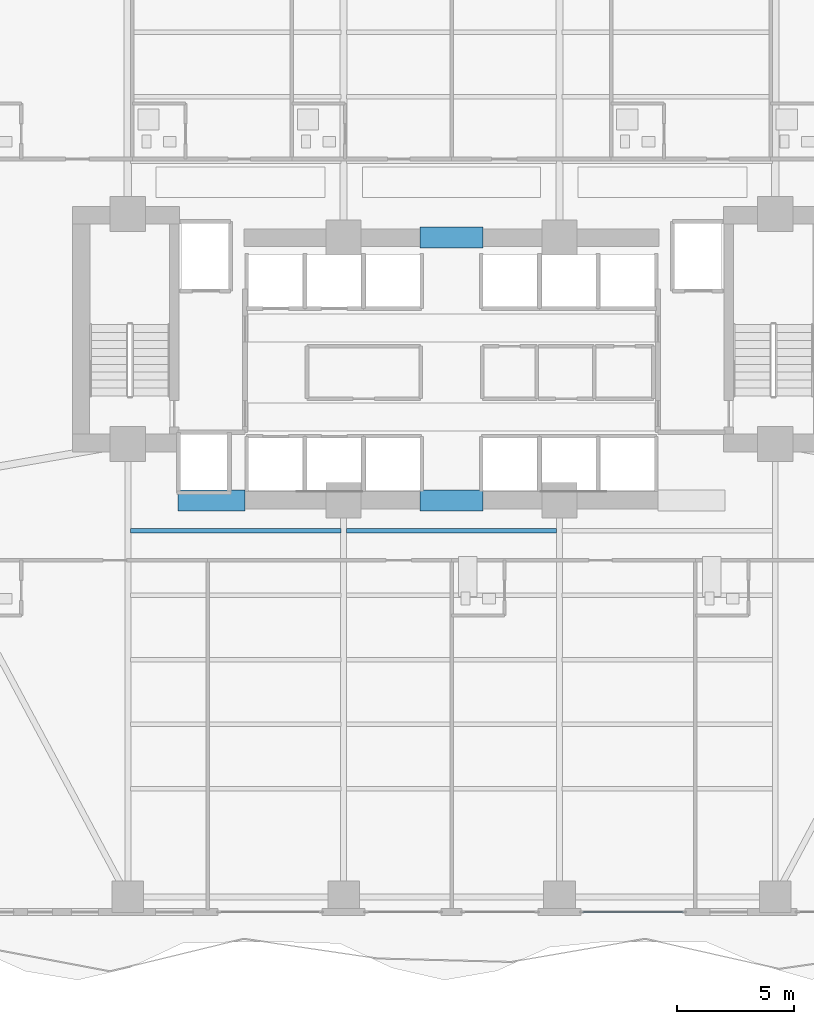
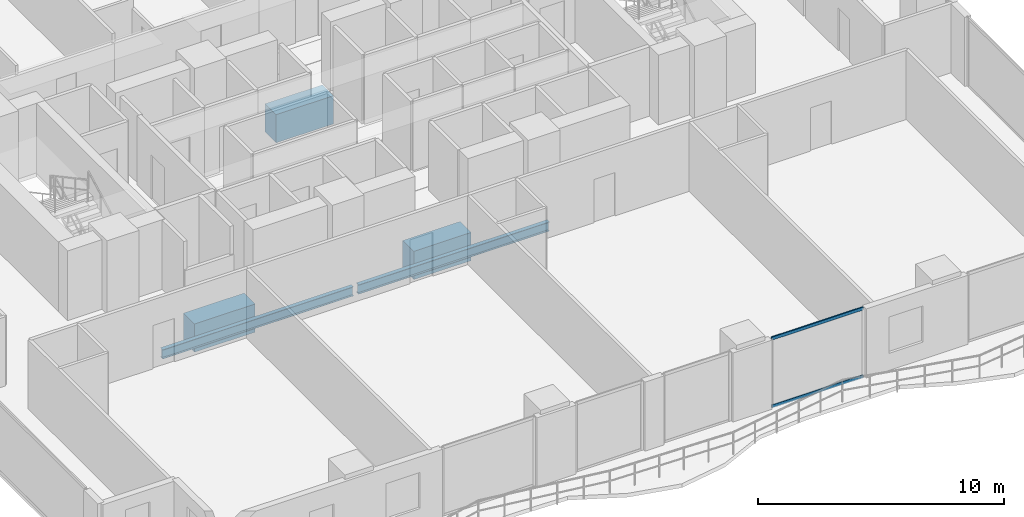
# One storey, part 8 of 30: 5 beams, 2 members, 1 element without a shape of its own.
"""IFC4 building model written with IfcOpenShell, lengths in metres."""

import ifcopenshell
import ifcopenshell.guid

model = None  # the IFC model being written
_history = None  # IfcOwnerHistory: only IFC2X3 demands one
_inside = {}  # id of a spatial element -> (the spatial element, [elements in it])
_under = {}  # id of a project, library or spatial element -> (it, [spatial elements below it])
_declared = {}  # id of a project -> (the project, [libraries it declares])
_typed = {}  # id of a type object -> (the type object, [elements of that type])
_made_of = {}  # id of a material, layer set ... -> (it, [elements and type objects made of it])


def new_model(schema):
    """Start an empty IFC model of exactly this schema.

    Asked for "IFC4X3", IfcOpenShell would pick the latest addendum, in which some entities
    have other attributes; the version numbers below select the first issue.
    IFC2X3 requires an IfcOwnerHistory on every rooted entity: one is made here for all.
    """
    global model, _history
    if schema == "IFC4X3":
        model = ifcopenshell.file(schema_version=(4, 3, 0, 0))
    else:
        model = ifcopenshell.file(schema=schema)
    _inside.clear()
    _under.clear()
    _declared.clear()
    _typed.clear()
    _made_of.clear()
    _history = None
    if model.schema == "IFC2X3":
        org = make("IfcOrganization", Name="unknown")
        user = make(
            "IfcPersonAndOrganization",
            ThePerson=make("IfcPerson", FamilyName="unknown"),
            TheOrganization=org,
        )
        app = make(
            "IfcApplication",
            ApplicationDeveloper=org,
            Version="unknown",
            ApplicationFullName="unknown",
            ApplicationIdentifier="unknown",
        )
        _history = make(
            "IfcOwnerHistory",
            OwningUser=user,
            OwningApplication=app,
            ChangeAction="ADDED",
            CreationDate=0,
        )
    return model


def make(cls, **values):
    """One entity of the class cls with the attributes given. An attribute that is None is left unset."""
    return model.create_entity(
        cls, **{name: value for name, value in values.items() if value is not None}
    )


def rooted(cls, **values):
    """An entity with a GlobalId (a new one), such as an element, a storey or a relation."""
    return make(cls, GlobalId=ifcopenshell.guid.new(), OwnerHistory=_history, **values)


def si_unit(unit_type, name, prefix=None):
    """IfcSIUnit, for example si_unit("LENGTHUNIT", "METRE", prefix="MILLI")."""
    return make("IfcSIUnit", UnitType=unit_type, Prefix=prefix, Name=name)


def assignment(units):
    """IfcUnitAssignment: the units of a project."""
    return None if units is None else make("IfcUnitAssignment", Units=units)


def point(xyz):
    """IfcCartesianPoint."""
    return None if xyz is None else make("IfcCartesianPoint", Coordinates=xyz)


def direction(xyz):
    """IfcDirection."""
    return None if xyz is None else make("IfcDirection", DirectionRatios=xyz)


def frame(location, z_axis=None, x_axis=None):
    """IfcAxis2Placement3D, a coordinate frame: its origin and axes. An axis left out is left unset."""
    return make(
        "IfcAxis2Placement3D",
        Location=point(location),
        Axis=direction(z_axis),
        RefDirection=direction(x_axis),
    )


def frame_2d(location, x_axis=None):
    """IfcAxis2Placement2D, a coordinate frame in the plane: its origin and x axis."""
    return make(
        "IfcAxis2Placement2D", Location=point(location), RefDirection=direction(x_axis)
    )


def origin():
    """The frame at (0, 0, 0) with its axes left unset."""
    return frame((0.0, 0.0, 0.0))


def origin_2d():
    """The frame at (0, 0) in the plane with its x axis left unset."""
    return frame_2d((0.0, 0.0))


def place(relative_to, where):
    """IfcLocalPlacement: puts the frame where relative to a parent placement (None: the world)."""
    return make(
        "IfcLocalPlacement", PlacementRelTo=relative_to, RelativePlacement=where
    )


def context(
    kind, dimensions, precision=None, world=None, true_north=None, identifier=None
):
    """IfcGeometricRepresentationContext, for example the 3D "Model" context."""
    return make(
        "IfcGeometricRepresentationContext",
        ContextIdentifier=identifier,
        ContextType=kind,
        CoordinateSpaceDimension=dimensions,
        Precision=precision,
        WorldCoordinateSystem=world,
        TrueNorth=true_north,
    )


def subcontext(parent, identifier, kind, view, scale=None):
    """IfcGeometricRepresentationSubContext, for example "Body" below "Model"."""
    return make(
        "IfcGeometricRepresentationSubContext",
        ContextIdentifier=identifier,
        ContextType=kind,
        ParentContext=parent,
        TargetScale=scale,
        TargetView=view,
    )


def project(units=None, contexts=None):
    """IfcProject with its units and contexts."""
    return rooted(
        "IfcProject",
        Name="project",
        RepresentationContexts=contexts,
        UnitsInContext=assignment(units),
    )


def spatial(cls, under=None, at=None, **own):
    """A site, building, storey or space (cls), placed at a placement, below another one or the project."""
    s = rooted(cls, ObjectPlacement=at, **own)
    if under is not None:
        _under.setdefault(under.id(), (under, []))[1].append(s)
    return s


def profile(cls, at=None, kind="AREA", **sizes):
    """A parametric profile (cls). Its sizes go by their IFC names, for example OverallWidth=200.0."""
    return make(cls, ProfileType=kind, Position=at, **sizes)


def rectangle(**sizes):
    """IfcRectangleProfileDef."""
    return profile("IfcRectangleProfileDef", **sizes)


def hollow_rectangle(**sizes):
    """IfcRectangleHollowProfileDef."""
    return profile("IfcRectangleHollowProfileDef", **sizes)


def i_section(**sizes):
    """IfcIShapeProfileDef."""
    return profile("IfcIShapeProfileDef", **sizes)


def extrude(swept, where, along, depth):
    """IfcExtrudedAreaSolid: the profile swept, set in the frame where, extruded along a direction by depth."""
    return make(
        "IfcExtrudedAreaSolid",
        SweptArea=swept,
        Position=where,
        ExtrudedDirection=direction(along),
        Depth=depth,
    )


def shape(context_of_items, identifier, shape_type, items):
    """IfcShapeRepresentation: the items that make up one representation, for example the "Body"."""
    return make(
        "IfcShapeRepresentation",
        ContextOfItems=context_of_items,
        RepresentationIdentifier=identifier,
        RepresentationType=shape_type,
        Items=items,
    )


def material(Name=None, Category=None):
    """IfcMaterial."""
    return make("IfcMaterial", Name=Name, Category=Category)


def layer(
    of_material, thickness, ventilated=None, Name=None, Category=None, Priority=None
):
    """IfcMaterialLayer: one layer of a wall or slab, of a material (None: an air gap)."""
    return make(
        "IfcMaterialLayer",
        Material=of_material,
        LayerThickness=thickness,
        IsVentilated=ventilated,
        Name=Name,
        Category=Category,
        Priority=Priority,
    )


def layer_set(layers, Name=None):
    """IfcMaterialLayerSet."""
    return make("IfcMaterialLayerSet", MaterialLayers=layers, LayerSetName=Name)


def material_profile(
    of_material, cross_section, Name=None, Category=None, Priority=None
):
    """IfcMaterialProfile: a cross section and its material."""
    return make(
        "IfcMaterialProfile",
        Name=Name,
        Material=of_material,
        Profile=cross_section,
        Priority=Priority,
        Category=Category,
    )


def profile_set(profiles, Name=None, composite=None):
    """IfcMaterialProfileSet."""
    return make(
        "IfcMaterialProfileSet",
        Name=Name,
        MaterialProfiles=profiles,
        CompositeProfile=composite,
    )


def made_of(thing, what):
    """Note that an element or type object is made of a material, layer set ...; save() writes the relation."""
    if what is not None:
        _made_of.setdefault(what.id(), (what, []))[1].append(thing)
    return thing


def type_object(cls, material=None, **own):
    """A type object (cls), such as IfcWallType, which elements share."""
    return made_of(rooted(cls, **own), material)


def element(
    cls,
    number,
    at=None,
    inside=None,
    cuts=None,
    type_object=None,
    material=None,
    context=None,
    identifier="Body",
    shape_type=None,
    held_by="IfcProductDefinitionShape",
    body=None,
    shapes=None,
    **own,
):
    """One element of the class cls, such as IfcWall. Its Tag is "e" and its number.

    at: its placement. inside: the storey or other place that contains it. cuts: it is an
    opening in that element (IfcRelVoidsElement). A single representation is given by context,
    identifier, shape_type and body (its items); several are given by shapes. held_by: the class
    of the entity that holds the representations. save() writes the other relations.
    """
    e = rooted(cls, Tag="e%d" % number, ObjectPlacement=at, **own)
    if body is not None:
        shapes = [shape(context, identifier, shape_type, body)]
    if shapes is not None:
        e.Representation = make(held_by, Representations=shapes)
    if inside is not None:
        _inside.setdefault(inside.id(), (inside, []))[1].append(e)
    if cuts is not None:
        rooted(
            "IfcRelVoidsElement", RelatingBuildingElement=cuts, RelatedOpeningElement=e
        )
    if type_object is not None:
        _typed.setdefault(type_object.id(), (type_object, []))[1].append(e)
    return made_of(e, material)


def aggregate(whole, parts):
    """IfcRelAggregates: a whole, such as a stair, and the parts it consists of."""
    return rooted("IfcRelAggregates", RelatingObject=whole, RelatedObjects=parts)


def save(model, path):
    """Write the relations noted so far, then the file.

    IfcRelAggregates (storeys below a building ...), IfcRelContainedInSpatialStructure (elements
    in a storey), IfcRelDefinesByType, IfcRelAssociatesMaterial and IfcRelDeclares: one each for
    every whole, place, type object, material and project.
    """
    for whole, parts in _under.values():
        aggregate(whole, parts)
    for where, things in _inside.values():
        rooted(
            "IfcRelContainedInSpatialStructure",
            RelatedElements=things,
            RelatingStructure=where,
        )
    for kind, things in _typed.values():
        rooted("IfcRelDefinesByType", RelatedObjects=things, RelatingType=kind)
    for what, things in _made_of.values():
        rooted("IfcRelAssociatesMaterial", RelatedObjects=things, RelatingMaterial=what)
    for by, libraries in _declared.values():
        rooted("IfcRelDeclares", RelatingContext=by, RelatedDefinitions=libraries)
    model.write(path)


model = new_model("IFC4")

# Units and contexts
model_context = context("Model", 3, precision=1e-05, world=origin(), true_north=direction((0.0, 1.0)))
body_context = subcontext(model_context, "Body", "Model", "MODEL_VIEW")
ifc_project = project(units=[si_unit("LENGTHUNIT", "METRE"), si_unit("AREAUNIT", "SQUARE_METRE"), si_unit("VOLUMEUNIT", "CUBIC_METRE"), si_unit("PLANEANGLEUNIT", "RADIAN"), si_unit("MASSUNIT", "GRAM", prefix="KILO")], contexts=[model_context])

# Site, building, storey
site_placement = place(None, origin())
site = spatial("IfcSite", under=ifc_project, at=site_placement, CompositionType="ELEMENT")
building_placement = place(site_placement, origin())
building = spatial("IfcBuilding", under=site, at=building_placement, Name="Zuhayl Quay Hotel", CompositionType="ELEMENT")
storey_placement = place(building_placement, frame((0.0, 0.0, 128.5)))
storey = spatial("IfcBuildingStorey", under=building, at=storey_placement, Name="L32", CompositionType="ELEMENT", Elevation=128.5)

# Beams
ifc_material_1 = material(Name="Concrete C60/75", Category="concrete")
ifc_material_profile_1 = material_profile(ifc_material_1, rectangle(XDim=0.89990234375, YDim=1.39990234375, at=origin_2d()), Name="RC900X1400")
ifc_profile_set_1 = profile_set([ifc_material_profile_1], Name="Concrete C60/75")
beam_type_1 = type_object("IfcBeamType", Name="BM_CB1_RC900", PredefinedType="T_BEAM", material=ifc_profile_set_1)
beam_placement = place(storey_placement, frame((-11.64990234375, 2.14990234375, -0.919921875), z_axis=(1.0, 0.0, 0.0), x_axis=(0.0, 1.0, 0.0)))
element("IfcBeam", 1, at=beam_placement, inside=storey, type_object=beam_type_1, Name="L32 Core Coupling Beam SW", PredefinedType="T_BEAM", context=body_context, shape_type="SweptSolid", body=[
    extrude(rectangle(XDim=0.89990234375, YDim=1.39990234375, at=origin_2d()), origin(), (0.0, 0.0, 1.0), 2.849853515625),
])
for number, where, z_axis, x_axis, name in (
    (2, (-1.35009765625, 13.35009765625, -0.919921875), (1.0, 0.0, 0.0), (0.0, 1.0, 0.0), "L32 Core Coupling Beam North"),
    (3, (-1.35009765625, 2.14990234375, -0.919921875), (1.0, 0.0, 0.0), (0.0, 1.0, 0.0), "L32 Core Coupling Beam South"),
):
    element("IfcBeam", number, at=place(storey_placement, frame(where, z_axis=z_axis, x_axis=x_axis)), inside=storey, type_object=beam_type_1, Name=name, PredefinedType="T_BEAM", context=body_context, shape_type="SweptSolid", body=[
        extrude(rectangle(XDim=0.89990234375, YDim=1.39990234375, at=origin_2d()), origin(), (0.0, 0.0, 1.0), 2.7001953125),
    ])
ifc_material_2 = material(Name="Steel ASTM A992 Grade 50", Category="steel")
ifc_material_profile_2 = material_profile(ifc_material_2, i_section(OverallWidth=0.18994140625, OverallDepth=0.45703125, WebThickness=0.009033203125, FlangeThickness=0.014404296875, at=origin_2d()), Name="W18X50")
ifc_profile_set_2 = profile_set([ifc_material_profile_2], Name="Steel ASTM A992 Grade 50")
beam_type_2 = type_object("IfcBeamType", Name="BM_J2_W18X50", PredefinedType="JOIST", material=ifc_profile_set_2)
for number, where, z_axis, x_axis, name in (
    (4, (-13.680908203125, 0.85009765625, -0.448486328125), (1.0, 0.0, 0.0), (0.0, 1.0, 0.0), "L32 Floor Beam FJ_L32_9_1"),
    (5, (-4.48095703125, 0.85009765625, -0.448486328125), (1.0, 0.0, 0.0), (0.0, 1.0, 0.0), "L32 Floor Beam FJ_L32_9_2"),
):
    element("IfcBeam", number, at=place(storey_placement, frame(where, z_axis=z_axis, x_axis=x_axis)), inside=storey, type_object=beam_type_2, Name=name, PredefinedType="JOIST", context=body_context, shape_type="SweptSolid", body=[
        extrude(i_section(OverallWidth=0.18994140625, OverallDepth=0.45703125, WebThickness=0.009033203125, FlangeThickness=0.014404296875, at=origin_2d()), origin(), (0.0, 0.0, 1.0), 8.9619140625),
    ])

# Curtain wall, members
ifc_material_3 = material(Name="Anodised Aluminium 6063-T6", Category="aluminium")
ifc_layer = layer(ifc_material_3, 0.179931640625, Name="Anodised Aluminium 6063-T6", Category="aluminium")
ifc_layer_set = layer_set([ifc_layer], Name="Anodised Aluminium 6063-T6")
curtain_wall_type = type_object("IfcCurtainWallType", Name="CW_SYS_Z2", PredefinedType="USERDEFINED", material=ifc_layer_set)
curtain_wall_placement = place(storey_placement, origin())
curtain_wall = element("IfcCurtainWall", 6, at=curtain_wall_placement, inside=storey, type_object=curtain_wall_type, Name="L32 Curtain Wall ENV_L32_S_CW2", ObjectType="UNITISED CURTAIN WALL", PredefinedType="USERDEFINED")
ifc_material_4 = material(Name="Black-anodised aluminium 6063-T6", Category="aluminium")
ifc_material_profile_3 = material_profile(ifc_material_4, hollow_rectangle(XDim=0.06005859375, YDim=0.14990234375, WallThickness=0.00341796875, at=origin_2d()), Name="ALU150X60")
ifc_profile_set_3 = profile_set([ifc_material_profile_3], Name="Black-anodised aluminium 6063-T6")
member_type = type_object("IfcMemberType", Name="MB_CW_TRN_150", PredefinedType="USERDEFINED", material=ifc_profile_set_3)
member_1_placement = place(storey_placement, frame((9.885009765625, -15.39990234375, 0.030029296875), z_axis=(-1.0, 0.0, 0.0), x_axis=(0.0, -1.0, 0.0)))
member_1 = element("IfcMember", 7, at=member_1_placement, type_object=member_type, Name="CW-Z2 transom 1.1", ObjectType="TRANSOM", PredefinedType="USERDEFINED", context=body_context, shape_type="SweptSolid", body=[
    extrude(hollow_rectangle(XDim=0.06005859375, YDim=0.14990234375, WallThickness=0.00341796875, at=origin_2d()), origin(), (0.0, 0.0, 1.0), 4.300048828125),
])
member_2_placement = place(storey_placement, frame((9.885009765625, -15.39990234375, 3.39990234375), z_axis=(-1.0, 0.0, 0.0), x_axis=(0.0, -1.0, 0.0)))
member_2 = element("IfcMember", 8, at=member_2_placement, type_object=member_type, Name="CW-Z2 transom 1.2", ObjectType="TRANSOM", PredefinedType="USERDEFINED", context=body_context, shape_type="SweptSolid", body=[
    extrude(hollow_rectangle(XDim=0.06005859375, YDim=0.14990234375, WallThickness=0.00341796875, at=origin_2d()), origin(), (0.0, 0.0, 1.0), 4.300048828125),
])
aggregate(curtain_wall, [member_1, member_2])

save(model, "model.ifc")
